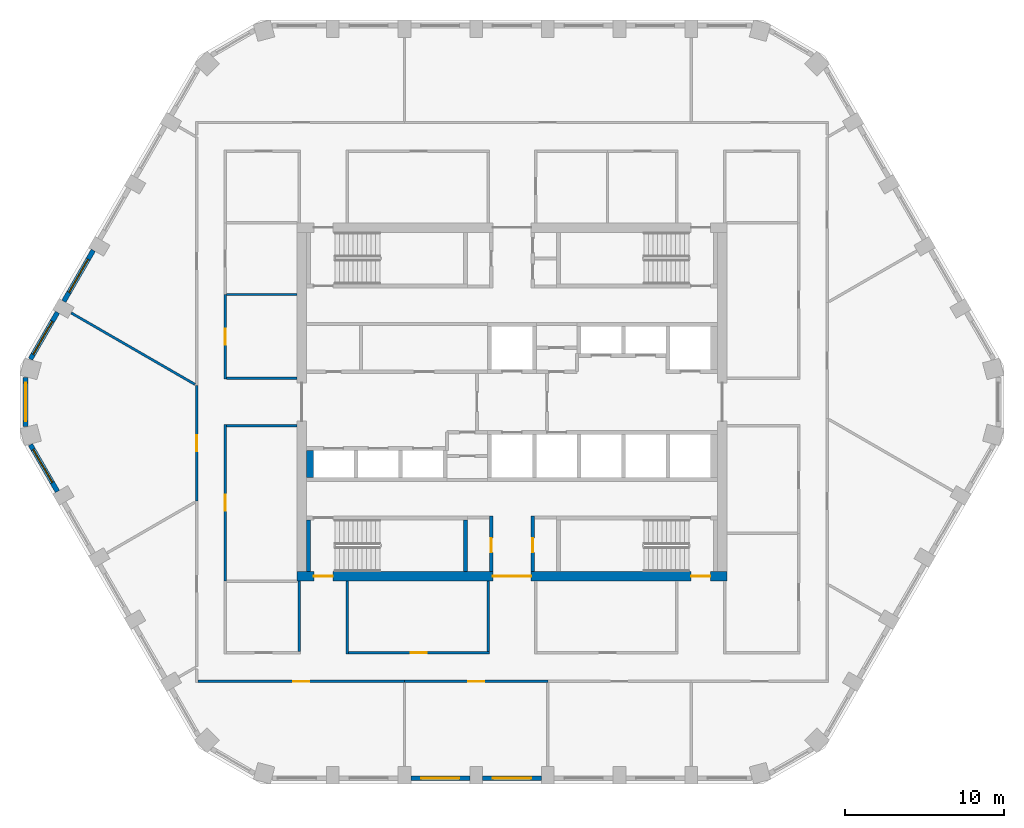
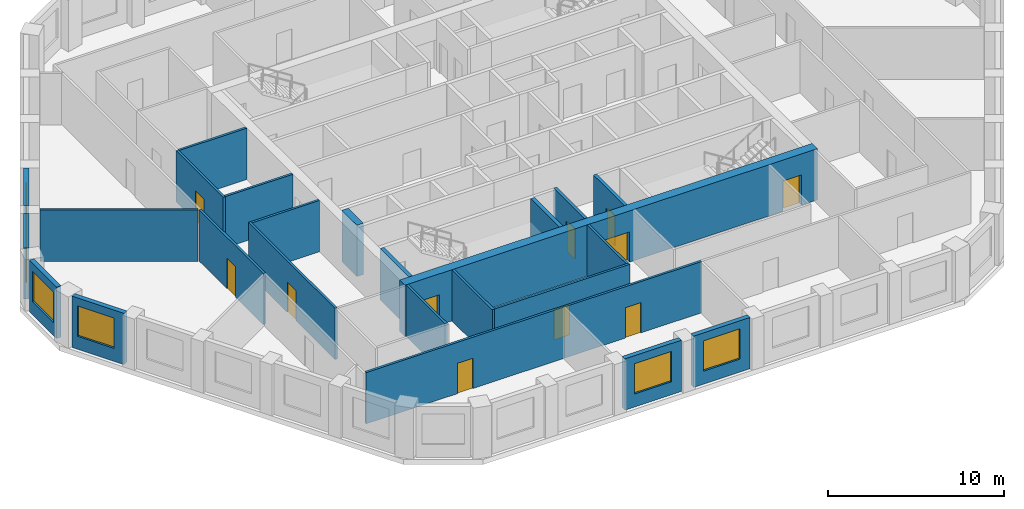
# One storey, part 2 of 9: 25 walls, 11 doors, 6 windows, 17 openings.
"""IFC4 building model written with IfcOpenShell, lengths in metres."""

from ifc_helpers import new_model, si_unit, direction, frame, frame_2d, origin, place, context, subcontext, project, spatial, polyline, rectangle, outline, extrude, material, layer, layer_set, type_object, element, fill, save


model = new_model("IFC4")

# Units and contexts
model_context = context("Model", 3, precision=1e-05, world=origin(), true_north=direction((0.0, 1.0)))
body_context = subcontext(model_context, "Body", "Model", "MODEL_VIEW")
ifc_project = project(units=[si_unit("LENGTHUNIT", "METRE"), si_unit("AREAUNIT", "SQUARE_METRE"), si_unit("VOLUMEUNIT", "CUBIC_METRE"), si_unit("PLANEANGLEUNIT", "RADIAN"), si_unit("MASSUNIT", "GRAM", prefix="KILO")], contexts=[model_context])

# Site, building, storey
site_placement = place(None, origin())
site = spatial("IfcSite", under=ifc_project, at=site_placement, CompositionType="ELEMENT")
building_placement = place(site_placement, origin())
building = spatial("IfcBuilding", under=site, at=building_placement, Name="Dhurran Vertical Campus", CompositionType="ELEMENT")
storey_placement = place(building_placement, frame((0.0, 0.0, 203.39990234375)))
storey = spatial("IfcBuildingStorey", under=building, at=storey_placement, Name="L50", CompositionType="ELEMENT", Elevation=203.39990234375)

# Wall, opening, window
ifc_material_1 = material(Name="Precast concrete C50/60", Category="concrete")
ifc_layer_1 = layer(ifc_material_1, 0.300048828125)
ifc_layer_set_1 = layer_set([ifc_layer_1], Name="Precast concrete C50/60")
wall_type_1 = type_object("IfcWallType", Name="Precast spandrel wall 300", PredefinedType="SOLIDWALL", material=ifc_layer_set_1)
wall_1_placement = place(storey_placement, frame((-6.349609375, -23.635498046875, 0.0), z_axis=(0.0, 0.0, 1.0), x_axis=(1.0, 0.0, 0.0)))
wall_1 = element("IfcWall", 1, at=wall_1_placement, inside=storey, type_object=wall_type_1, Name="EW1 L50.02", PredefinedType="SOLIDWALL", context=body_context, shape_type="SweptSolid", body=[
    extrude(rectangle(XDim=3.69921875, YDim=0.300048828125, at=frame_2d((1.849609375, 0.0))), origin(), (0.0, 0.0, 1.0), 3.550048828125),
])
opening_1_placement = place(wall_1_placement, frame((0.6494140625, 0.0, 0.89990234375)))
opening_1 = element("IfcOpeningElement", 2, at=opening_1_placement, cuts=wall_1, Name="Opening WT1", PredefinedType="OPENING", context=body_context, shape_type="SweptSolid", body=[
    extrude(rectangle(XDim=2.39990234375, YDim=2.10009765625, at=frame_2d((1.199951171875, 1.050048828125))), frame((0.0, 0.159912109375, 0.0), z_axis=(0.0, -1.0, 0.0), x_axis=(1.0, 0.0, 0.0)), (0.0, 0.0, 1.0), 0.320068359375),
])
ifc_material_2 = material(Name="Aluminium frame with solar-control glass", Category="aluminium")
window_type = type_object("IfcWindowType", Name="Punched window 2400 x 2100", PartitioningType="SINGLE_PANEL", PredefinedType="WINDOW", material=ifc_material_2)
window_1_placement = place(opening_1_placement, origin())
window_1 = element("IfcWindow", 3, at=window_1_placement, inside=storey, type_object=window_type, Name="WT1 L50.02", OverallHeight=2.10009765625, OverallWidth=2.39990234375, PartitioningType="SINGLE_PANEL", PredefinedType="WINDOW", context=body_context, shape_type="SweptSolid", body=[
    extrude(rectangle(XDim=2.39990234375, YDim=2.10009765625, at=frame_2d((1.199951171875, 1.050048828125))), frame((0.0, 0.030029296875, 0.0), z_axis=(0.0, -1.0, 0.0), x_axis=(1.0, 0.0, 0.0)), (0.0, 0.0, 1.0), 0.06005859375),
])
fill(opening_1, window_1)

wall_2_placement = place(storey_placement, frame((-1.849609375, -23.635498046875, 0.0), z_axis=(0.0, 0.0, 1.0), x_axis=(1.0, 0.0, 0.0)))
wall_2 = element("IfcWall", 4, at=wall_2_placement, inside=storey, type_object=wall_type_1, Name="EW1 L50.03", PredefinedType="SOLIDWALL", context=body_context, shape_type="SweptSolid", body=[
    extrude(rectangle(XDim=3.69921875, YDim=0.300048828125, at=frame_2d((1.849609375, 0.0))), origin(), (0.0, 0.0, 1.0), 3.550048828125),
])
opening_2_placement = place(wall_2_placement, frame((0.6494140625, 0.0, 0.89990234375)))
opening_2 = element("IfcOpeningElement", 5, at=opening_2_placement, cuts=wall_2, Name="Opening WT1", PredefinedType="OPENING", context=body_context, shape_type="SweptSolid", body=[
    extrude(rectangle(XDim=2.39990234375, YDim=2.10009765625, at=frame_2d((1.199951171875, 1.050048828125))), frame((0.0, 0.159912109375, 0.0), z_axis=(0.0, -1.0, 0.0), x_axis=(1.0, 0.0, 0.0)), (0.0, 0.0, 1.0), 0.320068359375),
])
window_2_placement = place(opening_2_placement, origin())
window_2 = element("IfcWindow", 6, at=window_2_placement, inside=storey, type_object=window_type, Name="WT1 L50.03", OverallHeight=2.10009765625, OverallWidth=2.39990234375, PartitioningType="SINGLE_PANEL", PredefinedType="WINDOW", context=body_context, shape_type="SweptSolid", body=[
    extrude(rectangle(XDim=2.39990234375, YDim=2.10009765625, at=frame_2d((1.199951171875, 1.050048828125))), frame((0.0, 0.030029296875, 0.0), z_axis=(0.0, -1.0, 0.0), x_axis=(1.0, 0.0, 0.0)), (0.0, 0.0, 1.0), 0.06005859375),
])
fill(opening_2, window_2)

wall_3_placement = place(storey_placement, frame((-26.294189453125, 9.5224609375, 0.0), z_axis=(0.0, 0.0, 1.0), x_axis=(-0.500029062817, -0.866008623709, 0.0)))
wall_3 = element("IfcWall", 7, at=wall_3_placement, inside=storey, type_object=wall_type_1, Name="EW1 L50.31", PredefinedType="SOLIDWALL", context=body_context, shape_type="SweptSolid", body=[
    extrude(rectangle(XDim=3.698974609375, YDim=0.300048828125, at=frame_2d((1.849609375, 0.0))), origin(), (0.0, 0.0, 1.0), 3.550048828125),
])
opening_3_placement = place(wall_3_placement, frame((0.6494140625, 0.0, 0.89990234375)))
opening_3 = element("IfcOpeningElement", 8, at=opening_3_placement, cuts=wall_3, Name="Opening WT1", PredefinedType="OPENING", context=body_context, shape_type="SweptSolid", body=[
    extrude(rectangle(XDim=2.39990234375, YDim=2.10009765625, at=frame_2d((1.199951171875, 1.050048828125))), frame((0.0, 0.159912109375, 0.0), z_axis=(0.0, -1.0, 0.0), x_axis=(1.0, 0.0, 0.0)), (0.0, 0.0, 1.0), 0.320068359375),
])
window_3_placement = place(opening_3_placement, origin())
window_3 = element("IfcWindow", 9, at=window_3_placement, inside=storey, type_object=window_type, Name="WT1 L50.31", OverallHeight=2.10009765625, OverallWidth=2.39990234375, PartitioningType="SINGLE_PANEL", PredefinedType="WINDOW", context=body_context, shape_type="SweptSolid", body=[
    extrude(rectangle(XDim=2.39990234375, YDim=2.10009765625, at=frame_2d((1.199951171875, 1.050048828125))), frame((0.0, 0.030029296875, 0.0), z_axis=(0.0, -1.0, 0.0), x_axis=(1.0, 0.0, 0.0)), (0.0, 0.0, 1.0), 0.06005859375),
])
fill(opening_3, window_3)

wall_4_placement = place(storey_placement, frame((-28.544189453125, 5.625244140625, 0.0), z_axis=(0.0, 0.0, 1.0), x_axis=(-0.500012868213, -0.866017974191, 0.0)))
wall_4 = element("IfcWall", 10, at=wall_4_placement, inside=storey, type_object=wall_type_1, Name="EW1 L50.32", PredefinedType="SOLIDWALL", context=body_context, shape_type="SweptSolid", body=[
    extrude(rectangle(XDim=3.39599609375, YDim=0.300048828125, at=frame_2d((1.697998046875, 0.0))), origin(), (0.0, 0.0, 1.0), 3.550048828125),
])
opening_4_placement = place(wall_4_placement, frame((0.6494140625, 0.0, 0.89990234375)))
opening_4 = element("IfcOpeningElement", 11, at=opening_4_placement, cuts=wall_4, Name="Opening WT1", PredefinedType="OPENING", context=body_context, shape_type="SweptSolid", body=[
    extrude(rectangle(XDim=2.39990234375, YDim=2.10009765625, at=frame_2d((1.199951171875, 1.050048828125))), frame((0.0, 0.159912109375, 0.0), z_axis=(0.0, -1.0, 0.0), x_axis=(1.0, 0.0, 0.0)), (0.0, 0.0, 1.0), 0.320068359375),
])
window_4_placement = place(opening_4_placement, origin())
window_4 = element("IfcWindow", 12, at=window_4_placement, inside=storey, type_object=window_type, Name="WT1 L50.32", OverallHeight=2.10009765625, OverallWidth=2.39990234375, PartitioningType="SINGLE_PANEL", PredefinedType="WINDOW", context=body_context, shape_type="SweptSolid", body=[
    extrude(rectangle(XDim=2.39990234375, YDim=2.10009765625, at=frame_2d((1.199951171875, 1.050048828125))), frame((0.0, 0.030029296875, 0.0), z_axis=(0.0, -1.0, 0.0), x_axis=(1.0, 0.0, 0.0)), (0.0, 0.0, 1.0), 0.06005859375),
])
fill(opening_4, window_4)

wall_5_placement = place(storey_placement, frame((-30.547119140625, 1.54638671875, 0.0), z_axis=(0.0, 0.0, 1.0), x_axis=(0.0, -1.0, 0.0)))
wall_5 = element("IfcWall", 13, at=wall_5_placement, inside=storey, type_object=wall_type_1, Name="EW1 L50.33", PredefinedType="SOLIDWALL", context=body_context, shape_type="SweptSolid", body=[
    extrude(rectangle(XDim=3.0927734375, YDim=0.300048828125, at=frame_2d((1.54638671875, 0.0))), origin(), (0.0, 0.0, 1.0), 3.550048828125),
])
opening_5_placement = place(wall_5_placement, frame((0.34619140625, 0.0, 0.89990234375)))
opening_5 = element("IfcOpeningElement", 14, at=opening_5_placement, cuts=wall_5, Name="Opening WT1", PredefinedType="OPENING", context=body_context, shape_type="SweptSolid", body=[
    extrude(rectangle(XDim=2.39990234375, YDim=2.10009765625, at=frame_2d((1.199951171875, 1.050048828125))), frame((0.0, 0.159912109375, 0.0), z_axis=(0.0, -1.0, 0.0), x_axis=(1.0, 0.0, 0.0)), (0.0, 0.0, 1.0), 0.320068359375),
])
window_5_placement = place(opening_5_placement, origin())
window_5 = element("IfcWindow", 15, at=window_5_placement, inside=storey, type_object=window_type, Name="WT1 L50.33", OverallHeight=2.10009765625, OverallWidth=2.39990234375, PartitioningType="SINGLE_PANEL", PredefinedType="WINDOW", context=body_context, shape_type="SweptSolid", body=[
    extrude(rectangle(XDim=2.39990234375, YDim=2.10009765625, at=frame_2d((1.199951171875, 1.050048828125))), frame((0.0, 0.030029296875, 0.0), z_axis=(0.0, -1.0, 0.0), x_axis=(1.0, 0.0, 0.0)), (0.0, 0.0, 1.0), 0.06005859375),
])
fill(opening_5, window_5)

wall_6_placement = place(storey_placement, frame((-30.2421875, -2.684326171875, 0.0), z_axis=(0.0, 0.0, 1.0), x_axis=(0.500012868213, -0.866017974191, 0.0)))
wall_6 = element("IfcWall", 16, at=wall_6_placement, inside=storey, type_object=wall_type_1, Name="EW1 L50.34", PredefinedType="SOLIDWALL", context=body_context, shape_type="SweptSolid", body=[
    extrude(rectangle(XDim=3.39599609375, YDim=0.300048828125, at=frame_2d((1.697998046875, 0.0))), origin(), (0.0, 0.0, 1.0), 3.550048828125),
])
opening_6_placement = place(wall_6_placement, frame((0.346435546875, 0.0, 0.89990234375)))
opening_6 = element("IfcOpeningElement", 17, at=opening_6_placement, cuts=wall_6, Name="Opening WT1", PredefinedType="OPENING", context=body_context, shape_type="SweptSolid", body=[
    extrude(rectangle(XDim=2.39990234375, YDim=2.10009765625, at=frame_2d((1.199951171875, 1.050048828125))), frame((0.0, 0.159912109375, 0.0), z_axis=(0.0, -1.0, 0.0), x_axis=(1.0, 0.0, 0.0)), (0.0, 0.0, 1.0), 0.320068359375),
])
window_6_placement = place(opening_6_placement, origin())
window_6 = element("IfcWindow", 18, at=window_6_placement, inside=storey, type_object=window_type, Name="WT1 L50.34", OverallHeight=2.10009765625, OverallWidth=2.39990234375, PartitioningType="SINGLE_PANEL", PredefinedType="WINDOW", context=body_context, shape_type="SweptSolid", body=[
    extrude(rectangle(XDim=2.39990234375, YDim=2.10009765625, at=frame_2d((1.199951171875, 1.050048828125))), frame((0.0, 0.030029296875, 0.0), z_axis=(0.0, -1.0, 0.0), x_axis=(1.0, 0.0, 0.0)), (0.0, 0.0, 1.0), 0.06005859375),
])
fill(opening_6, window_6)

# Wall, openings, doors
ifc_material_3 = material(Name="Concrete C50/60", Category="concrete")
ifc_layer_2 = layer(ifc_material_3, 0.60009765625)
ifc_layer_set_2 = layer_set([ifc_layer_2], Name="Concrete C50/60")
wall_type_2 = type_object("IfcWallType", Name="co-CORE-WALL-C2-600", PredefinedType="SHEAR", material=ifc_layer_set_2)
wall_7_placement = place(storey_placement, frame((-13.5, -10.949951171875, 0.0), z_axis=(0.0, 0.0, 1.0), x_axis=(1.0, 0.0, 0.0)))
wall_7 = element("IfcWall", 19, at=wall_7_placement, inside=storey, type_object=wall_type_2, Name="Core wall S L50", PredefinedType="SHEAR", context=body_context, shape_type="SweptSolid", body=[
    extrude(rectangle(XDim=27.0, YDim=0.60009765625, at=frame_2d((13.5, 0.0))), origin(), (0.0, 0.0, 1.0), 3.550048828125),
])
opening_7_placement = place(wall_7_placement, frame((12.300048828125, 0.0, 0.0)))
opening_7 = element("IfcOpeningElement", 20, at=opening_7_placement, cuts=wall_7, Name="Opening CV2", PredefinedType="OPENING", context=body_context, shape_type="SweptSolid", body=[
    extrude(rectangle(XDim=2.39990234375, YDim=2.10009765625, at=frame_2d((1.199951171875, 1.050048828125))), frame((0.0, 0.31005859375, 0.0), z_axis=(0.0, -1.0, 0.0), x_axis=(1.0, 0.0, 0.0)), (0.0, 0.0, 1.0), 0.6201171875),
])
opening_8_placement = place(wall_7_placement, frame((1.050048828125, 0.0, 0.0)))
opening_8 = element("IfcOpeningElement", 21, at=opening_8_placement, cuts=wall_7, Name="Opening XD3", PredefinedType="OPENING", context=body_context, shape_type="SweptSolid", body=[
    extrude(rectangle(XDim=1.199951171875, YDim=2.10009765625, at=frame_2d((0.60009765625, 1.050048828125))), frame((0.0, 0.31005859375, 0.0), z_axis=(0.0, -1.0, 0.0), x_axis=(1.0, 0.0, 0.0)), (0.0, 0.0, 1.0), 0.6201171875),
])
opening_9_placement = place(wall_7_placement, frame((24.75, 0.0, 0.0)))
opening_9 = element("IfcOpeningElement", 22, at=opening_9_placement, cuts=wall_7, Name="Opening XD4", PredefinedType="OPENING", context=body_context, shape_type="SweptSolid", body=[
    extrude(rectangle(XDim=1.199951171875, YDim=2.10009765625, at=frame_2d((0.60009765625, 1.050048828125))), frame((0.0, 0.31005859375, 0.0), z_axis=(0.0, -1.0, 0.0), x_axis=(1.0, 0.0, 0.0)), (0.0, 0.0, 1.0), 0.6201171875),
])
ifc_material_4 = material(Name="Fire-rated glazed door set")
door_type_1 = type_object("IfcDoorType", Name="co-D-LOBBY 2400x2100", OperationType="DOUBLE_DOOR_DOUBLE_SWING", PredefinedType="DOOR", material=ifc_material_4)
door_1_placement = place(opening_7_placement, origin())
door_1 = element("IfcDoor", 23, at=door_1_placement, inside=storey, type_object=door_type_1, Name="Core vestibule door S L50", OperationType="DOUBLE_DOOR_DOUBLE_SWING", OverallHeight=2.10009765625, OverallWidth=2.39990234375, PredefinedType="DOOR", context=body_context, shape_type="SweptSolid", body=[
    extrude(rectangle(XDim=2.39990234375, YDim=2.10009765625, at=frame_2d((1.199951171875, 1.050048828125))), frame((0.0, 0.02490234375, 0.0), z_axis=(0.0, -1.0, 0.0), x_axis=(1.0, 0.0, 0.0)), (0.0, 0.0, 1.0), 0.050048828125),
])
fill(opening_7, door_1)
ifc_material_5 = material(Name="Fire-rated steel door set", Category="steel")
door_type_2 = type_object("IfcDoorType", Name="co-D-STAIR-EXIT 1200x2100", OperationType="SINGLE_SWING_RIGHT", PredefinedType="DOOR", material=ifc_material_5)
door_2_placement = place(opening_8_placement, origin())
door_2 = element("IfcDoor", 24, at=door_2_placement, inside=storey, type_object=door_type_2, Name="Stair ST3 exit door L50", OperationType="SINGLE_SWING_RIGHT", OverallHeight=2.10009765625, OverallWidth=1.199951171875, PredefinedType="DOOR", context=body_context, shape_type="SweptSolid", body=[
    extrude(rectangle(XDim=1.199951171875, YDim=2.10009765625, at=frame_2d((0.60009765625, 1.050048828125))), frame((0.0, 0.02490234375, 0.0), z_axis=(0.0, -1.0, 0.0), x_axis=(1.0, 0.0, 0.0)), (0.0, 0.0, 1.0), 0.050048828125),
])
fill(opening_8, door_2)
door_3_placement = place(opening_9_placement, origin())
door_3 = element("IfcDoor", 25, at=door_3_placement, inside=storey, type_object=door_type_2, Name="Stair ST4 exit door L50", OperationType="SINGLE_SWING_RIGHT", OverallHeight=2.10009765625, OverallWidth=1.199951171875, PredefinedType="DOOR", context=body_context, shape_type="SweptSolid", body=[
    extrude(rectangle(XDim=1.199951171875, YDim=2.10009765625, at=frame_2d((0.60009765625, 1.050048828125))), frame((0.0, 0.02490234375, 0.0), z_axis=(0.0, -1.0, 0.0), x_axis=(1.0, 0.0, 0.0)), (0.0, 0.0, 1.0), 0.050048828125),
])
fill(opening_9, door_3)

# Wall, opening, door
ifc_material_6 = material(Name="Fire-rated masonry blockwork", Category="masonry")
ifc_layer_3 = layer(ifc_material_6, 0.199951171875)
ifc_layer_set_3 = layer_set([ifc_layer_3], Name="Fire-rated masonry blockwork")
wall_type_3 = type_object("IfcWallType", Name="co-FIRE-PARTITION-200", PredefinedType="PARTITIONING", material=ifc_layer_set_3)
wall_8_placement = place(storey_placement, frame((-1.300048828125, -10.64990234375, 0.0), z_axis=(0.0, 0.0, 1.0), x_axis=(0.0, 1.0, 0.0)))
wall_8 = element("IfcWall", 26, at=wall_8_placement, inside=storey, type_object=wall_type_3, Name="Core partition vest-SW L50", PredefinedType="PARTITIONING", context=body_context, shape_type="SweptSolid", body=[
    extrude(rectangle(XDim=3.5, YDim=0.199951171875, at=frame_2d((1.75, 0.0))), origin(), (0.0, 0.0, 1.0), 3.550048828125),
])
opening_10_placement = place(wall_8_placement, frame((1.199951171875, 0.0, 0.0)))
opening_10 = element("IfcOpeningElement", 27, at=opening_10_placement, cuts=wall_8, Name="Opening T14-C1", PredefinedType="OPENING", context=body_context, shape_type="SweptSolid", body=[
    extrude(rectangle(XDim=0.89990234375, YDim=2.10009765625, at=frame_2d((0.449951171875, 1.050048828125))), frame((0.0, 0.10986328125, 0.0), z_axis=(0.0, -1.0, 0.0), x_axis=(1.0, 0.0, 0.0)), (0.0, 0.0, 1.0), 0.219970703125),
])
ifc_material_7 = material(Name="Fire-rated timber door set", Category="wood")
door_type_3 = type_object("IfcDoorType", Name="co-D-ROOM 900x2100", OperationType="SINGLE_SWING_LEFT", PredefinedType="DOOR", material=ifc_material_7)
door_4_placement = place(opening_10_placement, origin())
door_4 = element("IfcDoor", 28, at=door_4_placement, inside=storey, type_object=door_type_3, Name="Fire equipment store door L50", OperationType="SINGLE_SWING_LEFT", OverallHeight=2.10009765625, OverallWidth=0.89990234375, PredefinedType="DOOR", context=body_context, shape_type="SweptSolid", body=[
    extrude(rectangle(XDim=0.89990234375, YDim=2.10009765625, at=frame_2d((0.449951171875, 1.050048828125))), frame((0.0, 0.02490234375, 0.0), z_axis=(0.0, -1.0, 0.0), x_axis=(1.0, 0.0, 0.0)), (0.0, 0.0, 1.0), 0.050048828125),
])
fill(opening_10, door_4)

wall_9_placement = place(storey_placement, frame((1.300048828125, -10.64990234375, 0.0), z_axis=(0.0, 0.0, 1.0), x_axis=(0.0, 1.0, 0.0)))
wall_9 = element("IfcWall", 29, at=wall_9_placement, inside=storey, type_object=wall_type_3, Name="Core partition vest-SE L50", PredefinedType="PARTITIONING", context=body_context, shape_type="SweptSolid", body=[
    extrude(rectangle(XDim=3.5, YDim=0.199951171875, at=frame_2d((1.75, 0.0))), origin(), (0.0, 0.0, 1.0), 3.550048828125),
])
opening_11_placement = place(wall_9_placement, frame((1.199951171875, 0.0, 0.0)))
opening_11 = element("IfcOpeningElement", 30, at=opening_11_placement, cuts=wall_9, Name="Opening T14-C2", PredefinedType="OPENING", context=body_context, shape_type="SweptSolid", body=[
    extrude(rectangle(XDim=0.89990234375, YDim=2.10009765625, at=frame_2d((0.449951171875, 1.050048828125))), frame((0.0, 0.10986328125, 0.0), z_axis=(0.0, -1.0, 0.0), x_axis=(1.0, 0.0, 0.0)), (0.0, 0.0, 1.0), 0.219970703125),
])
door_5_placement = place(opening_11_placement, origin())
door_5 = element("IfcDoor", 31, at=door_5_placement, inside=storey, type_object=door_type_3, Name="Print room door L50", OperationType="SINGLE_SWING_LEFT", OverallHeight=2.10009765625, OverallWidth=0.89990234375, PredefinedType="DOOR", context=body_context, shape_type="SweptSolid", body=[
    extrude(rectangle(XDim=0.89990234375, YDim=2.10009765625, at=frame_2d((0.449951171875, 1.050048828125))), frame((0.0, 0.02490234375, 0.0), z_axis=(0.0, -1.0, 0.0), x_axis=(1.0, 0.0, 0.0)), (0.0, 0.0, 1.0), 0.050048828125),
])
fill(opening_11, door_5)

# Walls
ifc_material_8 = material(Name="Concrete C50/60", Category="concrete")
ifc_layer_4 = layer(ifc_material_8, 0.25)
ifc_layer_set_4 = layer_set([ifc_layer_4], Name="Concrete C50/60")
wall_type_4 = type_object("IfcWallType", Name="co-SHAFT-MASS-250", PredefinedType="SHEAR", material=ifc_layer_set_4)
wall_10_placement = place(storey_placement, origin())
element("IfcWall", 32, at=wall_10_placement, inside=storey, type_object=wall_type_4, Name="Lift shaft wall S L50 3", PredefinedType="SHEAR", context=body_context, shape_type="SweptSolid", body=[
    extrude(outline(polyline([(-12.89990234375, -4.75), (-12.47509765625, -4.75), (-12.47509765625, -3.050048828125), (-12.89990234375, -3.050048828125), (-12.89990234375, -4.75)])), origin(), (0.0, 0.0, 1.0), 3.550048828125),
])
ifc_material_9 = material(Name="Concrete C40/50", Category="concrete")
ifc_layer_5 = layer(ifc_material_9, 0.25)
ifc_layer_set_5 = layer_set([ifc_layer_5], Name="Concrete C40/50")
wall_type_5 = type_object("IfcWallType", Name="co-STAIR-WALL-250", PredefinedType="SHEAR", material=ifc_layer_set_5)
for number, where, z_axis, x_axis, name in (
    (33, (-12.77490234375, -10.64990234375, 0.0), (0.0, 0.0, 1.0), (0.0, 1.0, 0.0), "Stair ST3 enclosure wall L50"),
    (34, (-2.925048828125, -10.64990234375, 0.0), (0.0, 0.0, 1.0), (0.0, 1.0, 0.0), "Stair ST3 enclosure wall L50"),
):
    element("IfcWall", number, at=place(storey_placement, frame(where, z_axis=z_axis, x_axis=x_axis)), inside=storey, type_object=wall_type_5, Name=name, PredefinedType="SHEAR", context=body_context, shape_type="SweptSolid", body=[
        extrude(rectangle(XDim=3.25, YDim=0.25, at=frame_2d((1.625, 0.0))), origin(), (0.0, 0.0, 1.0), 3.550048828125),
    ])

# Wall, opening, door
ifc_material_10 = material(Name="Gypsum board corridor wall on steel studs", Category="steel")
ifc_layer_6 = layer(ifc_material_10, 0.14990234375)
ifc_layer_set_6 = layer_set([ifc_layer_6], Name="Gypsum board corridor wall on steel studs")
wall_type_6 = type_object("IfcWallType", Name="fl-CW-150 corridor wall", PredefinedType="PARTITIONING", material=ifc_layer_set_6)
wall_11_placement = place(storey_placement, frame((-19.72509765625, -17.550048828125, 0.0), z_axis=(0.0, 0.0, 1.0), x_axis=(1.0, 0.0, 0.0)))
wall_11 = element("IfcWall", 35, at=wall_11_placement, inside=storey, type_object=wall_type_6, Name="Partition 50-06", PredefinedType="PARTITIONING", context=body_context, shape_type="SweptSolid", body=[
    extrude(rectangle(XDim=12.97509765625, YDim=0.14990234375, at=frame_2d((6.487548828125, 0.0))), origin(), (0.0, 0.0, 1.0), 3.550048828125),
])
opening_12_placement = place(wall_11_placement, frame((5.987548828125, 0.0, 0.0)))
opening_12 = element("IfcOpeningElement", 36, at=opening_12_placement, cuts=wall_11, Name="Opening T14.09", PredefinedType="OPENING", context=body_context, shape_type="SweptSolid", body=[
    extrude(rectangle(XDim=1.0, YDim=2.10009765625, at=frame_2d((0.5, 1.050048828125))), frame((0.0, 0.0849609375, 0.0), z_axis=(0.0, -1.0, 0.0), x_axis=(1.0, 0.0, 0.0)), (0.0, 0.0, 1.0), 0.169921875),
])
ifc_material_11 = material(Name="Solid-core timber door set, fire-rated", Category="wood")
door_type_4 = type_object("IfcDoorType", Name="fl-D-1000x2100", OperationType="SINGLE_SWING_LEFT", PredefinedType="DOOR", material=ifc_material_11)
door_6_placement = place(opening_12_placement, origin())
door_6 = element("IfcDoor", 37, at=door_6_placement, inside=storey, type_object=door_type_4, Name="Door 50.09", OperationType="SINGLE_SWING_RIGHT", OverallHeight=2.10009765625, OverallWidth=1.0, PredefinedType="DOOR", context=body_context, shape_type="SweptSolid", body=[
    extrude(rectangle(XDim=1.0, YDim=2.10009765625, at=frame_2d((0.5, 1.050048828125))), frame((0.0, 0.02490234375, 0.0), z_axis=(0.0, -1.0, 0.0), x_axis=(1.0, 0.0, 0.0)), (0.0, 0.0, 1.0), 0.050048828125),
])
fill(opening_12, door_6)

wall_12_placement = place(storey_placement, frame((-19.800048828125, 1.0390625, 0.0), z_axis=(0.0, 0.0, 1.0), x_axis=(0.0, -1.0, 0.0)))
wall_12 = element("IfcWall", 38, at=wall_12_placement, inside=storey, type_object=wall_type_6, Name="Partition 50-08", PredefinedType="PARTITIONING", context=body_context, shape_type="SweptSolid", body=[
    extrude(rectangle(XDim=7.274169921875, YDim=0.14990234375, at=frame_2d((3.63720703125, 0.0))), origin(), (0.0, 0.0, 1.0), 3.550048828125),
])
opening_13_placement = place(wall_12_placement, frame((3.136962890625, 0.0, 0.0)))
opening_13 = element("IfcOpeningElement", 39, at=opening_13_placement, cuts=wall_12, Name="Opening T14.01", PredefinedType="OPENING", context=body_context, shape_type="SweptSolid", body=[
    extrude(rectangle(XDim=1.0, YDim=2.10009765625, at=frame_2d((0.5, 1.050048828125))), frame((0.0, 0.0849609375, 0.0), z_axis=(0.0, -1.0, 0.0), x_axis=(1.0, 0.0, 0.0)), (0.0, 0.0, 1.0), 0.169921875),
])
door_7_placement = place(opening_13_placement, origin())
door_7 = element("IfcDoor", 40, at=door_7_placement, inside=storey, type_object=door_type_4, Name="Door 50.01", OperationType="SINGLE_SWING_RIGHT", OverallHeight=2.10009765625, OverallWidth=1.0, PredefinedType="DOOR", context=body_context, shape_type="SweptSolid", body=[
    extrude(rectangle(XDim=1.0, YDim=2.10009765625, at=frame_2d((0.5, 1.050048828125))), frame((0.0, 0.02490234375, 0.0), z_axis=(0.0, -1.0, 0.0), x_axis=(1.0, 0.0, 0.0)), (0.0, 0.0, 1.0), 0.050048828125),
])
fill(opening_13, door_7)

wall_13_placement = place(storey_placement, frame((-18.0, -11.25, 0.0), z_axis=(0.0, 0.0, 1.0), x_axis=(0.0, 1.0, 0.0)))
wall_13 = element("IfcWall", 41, at=wall_13_placement, inside=storey, type_object=wall_type_6, Name="Partition 50-14", PredefinedType="PARTITIONING", context=body_context, shape_type="SweptSolid", body=[
    extrude(rectangle(XDim=9.824951171875, YDim=0.14990234375, at=frame_2d((4.91259765625, 0.0))), origin(), (0.0, 0.0, 1.0), 3.550048828125),
])
opening_14_placement = place(wall_13_placement, frame((4.41259765625, 0.0, 0.0)))
opening_14 = element("IfcOpeningElement", 42, at=opening_14_placement, cuts=wall_13, Name="Opening T14.04", PredefinedType="OPENING", context=body_context, shape_type="SweptSolid", body=[
    extrude(rectangle(XDim=1.0, YDim=2.10009765625, at=frame_2d((0.5, 1.050048828125))), frame((0.0, 0.0849609375, 0.0), z_axis=(0.0, -1.0, 0.0), x_axis=(1.0, 0.0, 0.0)), (0.0, 0.0, 1.0), 0.169921875),
])
door_8_placement = place(opening_14_placement, origin())
door_8 = element("IfcDoor", 43, at=door_8_placement, inside=storey, type_object=door_type_4, Name="Door 50.04", OperationType="SINGLE_SWING_RIGHT", OverallHeight=2.10009765625, OverallWidth=1.0, PredefinedType="DOOR", context=body_context, shape_type="SweptSolid", body=[
    extrude(rectangle(XDim=1.0, YDim=2.10009765625, at=frame_2d((0.5, 1.050048828125))), frame((0.0, 0.02490234375, 0.0), z_axis=(0.0, -1.0, 0.0), x_axis=(1.0, 0.0, 0.0)), (0.0, 0.0, 1.0), 0.050048828125),
])
fill(opening_14, door_8)

# Wall
wall_14_placement = place(storey_placement, frame((-17.925048828125, -1.5, 0.0), z_axis=(0.0, 0.0, 1.0), x_axis=(1.0, 0.0, 0.0)))
element("IfcWall", 44, at=wall_14_placement, inside=storey, type_object=wall_type_6, Name="Partition 50-16", PredefinedType="PARTITIONING", context=body_context, shape_type="SweptSolid", body=[
    extrude(rectangle(XDim=4.425048828125, YDim=0.14990234375, at=frame_2d((2.21240234375, 0.0))), origin(), (0.0, 0.0, 1.0), 3.550048828125),
])

# Wall, opening, door
wall_15_placement = place(storey_placement, frame((-18.0, 1.425048828125, 0.0), z_axis=(0.0, 0.0, 1.0), x_axis=(0.0, 1.0, 0.0)))
wall_15 = element("IfcWall", 45, at=wall_15_placement, inside=storey, type_object=wall_type_6, Name="Partition 50-17", PredefinedType="PARTITIONING", context=body_context, shape_type="SweptSolid", body=[
    extrude(rectangle(XDim=5.324951171875, YDim=0.14990234375, at=frame_2d((2.66259765625, 0.0))), origin(), (0.0, 0.0, 1.0), 3.550048828125),
])
opening_15_placement = place(wall_15_placement, frame((2.16259765625, 0.0, 0.0)))
opening_15 = element("IfcOpeningElement", 46, at=opening_15_placement, cuts=wall_15, Name="Opening T14.05", PredefinedType="OPENING", context=body_context, shape_type="SweptSolid", body=[
    extrude(rectangle(XDim=1.0, YDim=2.10009765625, at=frame_2d((0.5, 1.050048828125))), frame((0.0, 0.0849609375, 0.0), z_axis=(0.0, -1.0, 0.0), x_axis=(1.0, 0.0, 0.0)), (0.0, 0.0, 1.0), 0.169921875),
])
door_9_placement = place(opening_15_placement, origin())
door_9 = element("IfcDoor", 47, at=door_9_placement, inside=storey, type_object=door_type_4, Name="Door 50.05", OperationType="SINGLE_SWING_LEFT", OverallHeight=2.10009765625, OverallWidth=1.0, PredefinedType="DOOR", context=body_context, shape_type="SweptSolid", body=[
    extrude(rectangle(XDim=1.0, YDim=2.10009765625, at=frame_2d((0.5, 1.050048828125))), frame((0.0, 0.02490234375, 0.0), z_axis=(0.0, -1.0, 0.0), x_axis=(1.0, 0.0, 0.0)), (0.0, 0.0, 1.0), 0.050048828125),
])
fill(opening_15, door_9)

# Walls
for number, where, z_axis, x_axis, name in (
    (48, (-13.5, 1.5, 0.0), (0.0, 0.0, 1.0), (-1.0, 0.0, 0.0), "Partition 50-18"),
    (49, (-13.35009765625, -11.25, 0.0), (0.0, 0.0, 1.0), (0.0, -1.0, 0.0), "Partition 50-24"),
):
    element("IfcWall", number, at=place(storey_placement, frame(where, z_axis=z_axis, x_axis=x_axis)), inside=storey, type_object=wall_type_6, Name=name, PredefinedType="PARTITIONING", context=body_context, shape_type="SweptSolid", body=[
        extrude(rectangle(XDim=4.425048828125, YDim=0.14990234375, at=frame_2d((2.21240234375, 0.0))), origin(), (0.0, 0.0, 1.0), 3.550048828125),
    ])
wall_16_placement = place(storey_placement, frame((-10.35009765625, -15.824951171875, 0.0), z_axis=(0.0, 0.0, 1.0), x_axis=(0.0, 1.0, 0.0)))
element("IfcWall", 50, at=wall_16_placement, inside=storey, type_object=wall_type_6, Name="Partition 50-26", PredefinedType="PARTITIONING", context=body_context, shape_type="SweptSolid", body=[
    extrude(rectangle(XDim=4.574951171875, YDim=0.14990234375, at=frame_2d((2.28759765625, 0.0))), origin(), (0.0, 0.0, 1.0), 3.550048828125),
])

# Wall, opening, door
wall_17_placement = place(storey_placement, frame((-1.425048828125, -15.75, 0.0), z_axis=(0.0, 0.0, 1.0), x_axis=(-1.0, 0.0, 0.0)))
wall_17 = element("IfcWall", 51, at=wall_17_placement, inside=storey, type_object=wall_type_6, Name="Partition 50-27", PredefinedType="PARTITIONING", context=body_context, shape_type="SweptSolid", body=[
    extrude(rectangle(XDim=8.849853515625, YDim=0.14990234375, at=frame_2d((4.4248046875, 0.0))), origin(), (0.0, 0.0, 1.0), 3.550048828125),
])
opening_16_placement = place(wall_17_placement, frame((3.925048828125, 0.0, 0.0)))
opening_16 = element("IfcOpeningElement", 52, at=opening_16_placement, cuts=wall_17, Name="Opening T14.11", PredefinedType="OPENING", context=body_context, shape_type="SweptSolid", body=[
    extrude(rectangle(XDim=1.0, YDim=2.10009765625, at=frame_2d((0.5, 1.050048828125))), frame((0.0, 0.0849609375, 0.0), z_axis=(0.0, -1.0, 0.0), x_axis=(1.0, 0.0, 0.0)), (0.0, 0.0, 1.0), 0.169921875),
])
door_10_placement = place(opening_16_placement, origin())
door_10 = element("IfcDoor", 53, at=door_10_placement, inside=storey, type_object=door_type_4, Name="Door 50.11", OperationType="SINGLE_SWING_RIGHT", OverallHeight=2.10009765625, OverallWidth=1.0, PredefinedType="DOOR", context=body_context, shape_type="SweptSolid", body=[
    extrude(rectangle(XDim=1.0, YDim=2.10009765625, at=frame_2d((0.5, 1.050048828125))), frame((0.0, 0.02490234375, 0.0), z_axis=(0.0, -1.0, 0.0), x_axis=(1.0, 0.0, 0.0)), (0.0, 0.0, 1.0), 0.050048828125),
])
fill(opening_16, door_10)

wall_18_placement = place(storey_placement, frame((-6.75, -17.550048828125, 0.0), z_axis=(0.0, 0.0, 1.0), x_axis=(1.0, 0.0, 0.0)))
wall_18 = element("IfcWall", 54, at=wall_18_placement, inside=storey, type_object=wall_type_6, Name="Partition 50-31", PredefinedType="PARTITIONING", context=body_context, shape_type="SweptSolid", body=[
    extrude(rectangle(XDim=9.0, YDim=0.14990234375, at=frame_2d((4.5, 0.0))), origin(), (0.0, 0.0, 1.0), 3.550048828125),
])
opening_17_placement = place(wall_18_placement, frame((4.0, 0.0, 0.0)))
opening_17 = element("IfcOpeningElement", 55, at=opening_17_placement, cuts=wall_18, Name="Opening T14.13", PredefinedType="OPENING", context=body_context, shape_type="SweptSolid", body=[
    extrude(rectangle(XDim=1.0, YDim=2.10009765625, at=frame_2d((0.5, 1.050048828125))), frame((0.0, 0.0849609375, 0.0), z_axis=(0.0, -1.0, 0.0), x_axis=(1.0, 0.0, 0.0)), (0.0, 0.0, 1.0), 0.169921875),
])
door_11_placement = place(opening_17_placement, origin())
door_11 = element("IfcDoor", 56, at=door_11_placement, inside=storey, type_object=door_type_4, Name="Door 50.13", OperationType="SINGLE_SWING_LEFT", OverallHeight=2.10009765625, OverallWidth=1.0, PredefinedType="DOOR", context=body_context, shape_type="SweptSolid", body=[
    extrude(rectangle(XDim=1.0, YDim=2.10009765625, at=frame_2d((0.5, 1.050048828125))), frame((0.0, 0.02490234375, 0.0), z_axis=(0.0, -1.0, 0.0), x_axis=(1.0, 0.0, 0.0)), (0.0, 0.0, 1.0), 0.050048828125),
])
fill(opening_17, door_11)

# Walls
wall_19_placement = place(storey_placement, frame((-1.5, -11.25, 0.0), z_axis=(0.0, 0.0, 1.0), x_axis=(0.0, -1.0, 0.0)))
element("IfcWall", 57, at=wall_19_placement, inside=storey, type_object=wall_type_6, Name="Partition 50-34", PredefinedType="PARTITIONING", context=body_context, shape_type="SweptSolid", body=[
    extrude(rectangle(XDim=4.425048828125, YDim=0.14990234375, at=frame_2d((2.21240234375, 0.0))), origin(), (0.0, 0.0, 1.0), 3.550048828125),
])
ifc_material_12 = material(Name="Gypsum board partition on steel studs", Category="steel")
ifc_layer_7 = layer(ifc_material_12, 0.14990234375)
ifc_layer_set_7 = layer_set([ifc_layer_7], Name="Gypsum board partition on steel studs")
wall_type_7 = type_object("IfcWallType", Name="fl-PW-150 fixed partition", PredefinedType="PARTITIONING", material=ifc_layer_set_7)
wall_20_placement = place(storey_placement, frame((-27.677001953125, 5.587158203125, 0.0), z_axis=(0.0, 0.0, 1.0), x_axis=(0.866007370051, -0.500031234042, 0.0)))
element("IfcWall", 58, at=wall_20_placement, inside=storey, type_object=wall_type_7, Name="Partition 50-01", PredefinedType="PARTITIONING", context=body_context, shape_type="SweptSolid", body=[
    extrude(rectangle(XDim=8.9658203125, YDim=0.14990234375, at=frame_2d((4.48291015625, 0.0))), origin(), (0.0, 0.0, 1.0), 3.550048828125),
])
wall_21_placement = place(storey_placement, frame((-17.925048828125, 6.75, 0.0), z_axis=(0.0, 0.0, 1.0), x_axis=(1.0, 0.0, 0.0)))
element("IfcWall", 59, at=wall_21_placement, inside=storey, type_object=wall_type_7, Name="Partition 50-20", PredefinedType="PARTITIONING", context=body_context, shape_type="SweptSolid", body=[
    extrude(rectangle(XDim=4.425048828125, YDim=0.14990234375, at=frame_2d((2.21240234375, 0.0))), origin(), (0.0, 0.0, 1.0), 3.550048828125),
])

save(model, "model.ifc")
